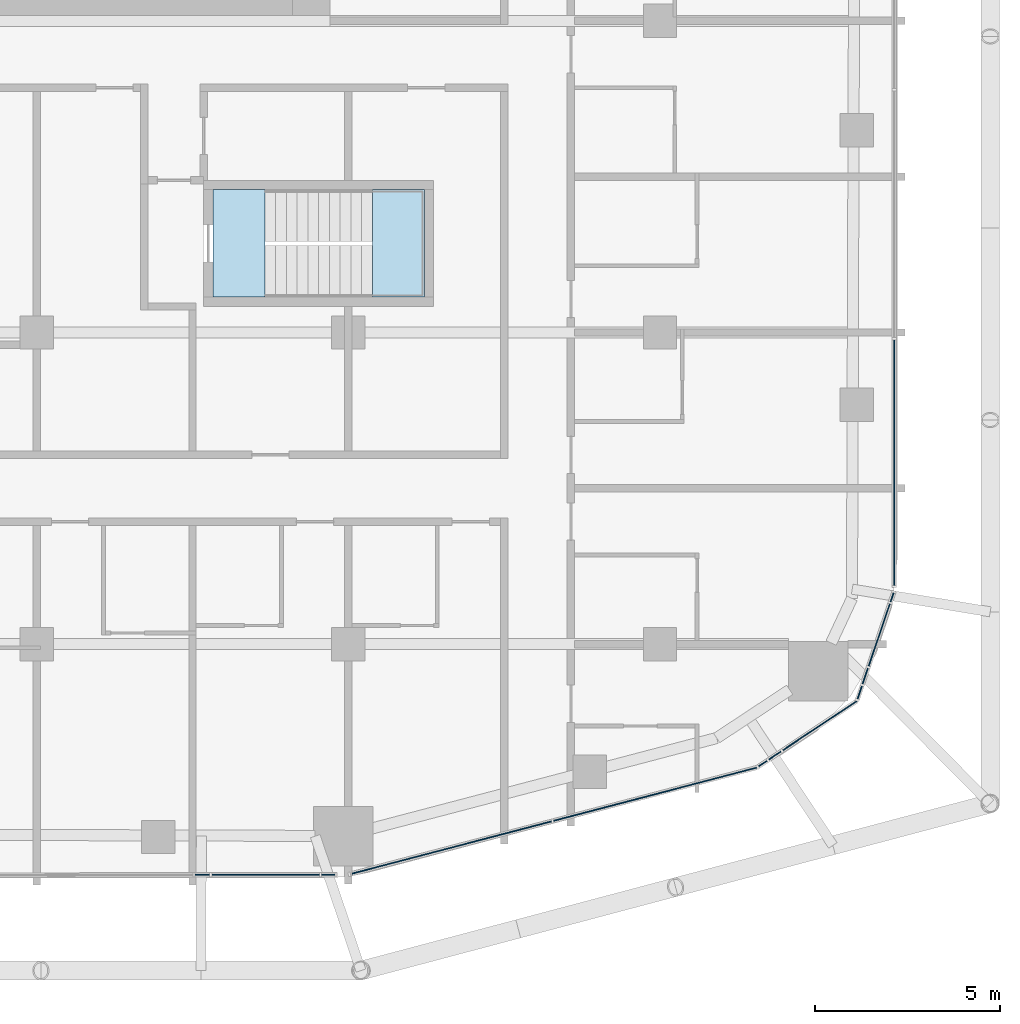
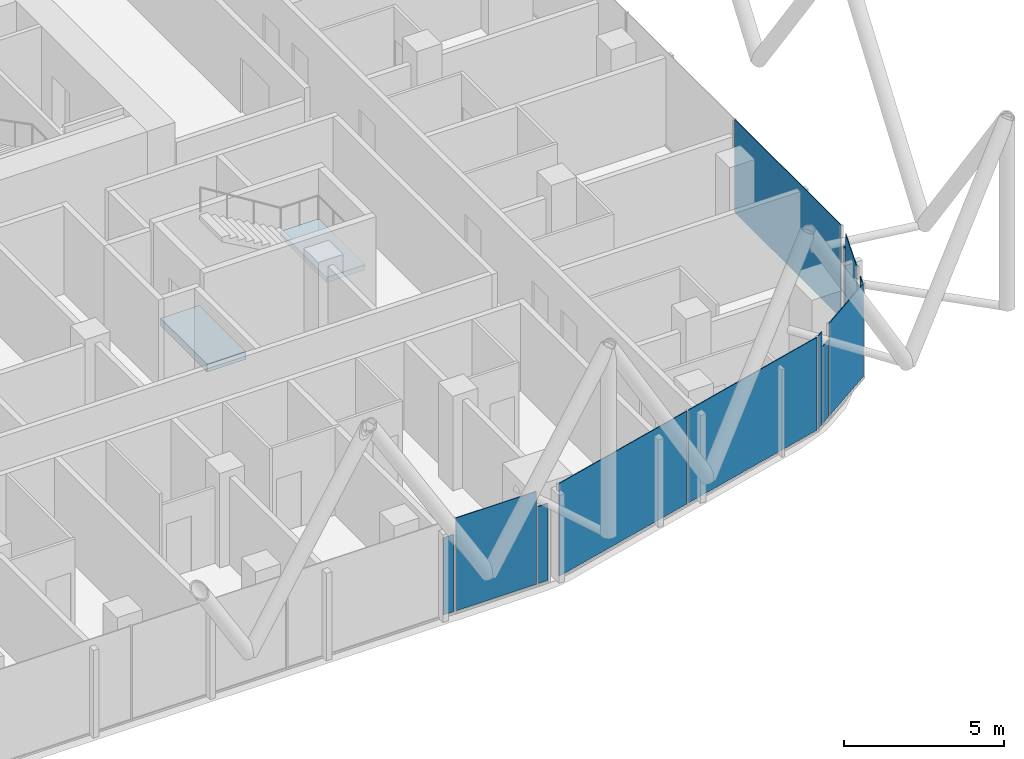
# One storey, part 22 of 36: 13 plates, 2 slabs, 13 elements without a shape of their own.
"""IFC4 building model written with IfcOpenShell, lengths in metres."""

from ifc_helpers import new_model, si_unit, direction, frame, origin, origin_2d, place, context, subcontext, project, spatial, polyline, rectangle, outline, extrude, material, layer, layer_set, type_object, element, aggregate, save


model = new_model("IFC4")

# Units and contexts
model_context = context("Model", 3, precision=1e-05, world=origin(), true_north=direction((0.0, 1.0)))
body_context = subcontext(model_context, "Body", "Model", "MODEL_VIEW")
ifc_project = project(units=[si_unit("LENGTHUNIT", "METRE"), si_unit("AREAUNIT", "SQUARE_METRE"), si_unit("VOLUMEUNIT", "CUBIC_METRE"), si_unit("PLANEANGLEUNIT", "RADIAN"), si_unit("MASSUNIT", "GRAM", prefix="KILO")], contexts=[model_context])

# Site, building, storey
site_placement = place(None, origin())
site = spatial("IfcSite", under=ifc_project, at=site_placement, CompositionType="ELEMENT")
building_placement = place(site_placement, origin())
building = spatial("IfcBuilding", under=site, at=building_placement, Name="Marenta Gate Hotel Tower", CompositionType="ELEMENT")
storey_placement = place(building_placement, frame((0.0, 0.0, 144.5)))
storey = spatial("IfcBuildingStorey", under=building, at=storey_placement, Name="L33", CompositionType="ELEMENT", Elevation=144.5)

# Curtain wall, plate
ifc_material_1 = material(Name="Tinted insulated glass in bronze anodised frame", Category="glass")
ifc_layer_1 = layer(ifc_material_1, 0.1201171875)
ifc_layer_set_1 = layer_set([ifc_layer_1], Name="Tinted insulated glass in bronze anodised frame")
curtain_wall_type = type_object("IfcCurtainWallType", Name="Tower unitised curtain wall CW1", PredefinedType="NOTDEFINED", material=ifc_layer_set_1)
curtain_wall_1_placement = place(storey_placement, origin())
curtain_wall_1 = element("IfcCurtainWall", 1, at=curtain_wall_1_placement, inside=storey, type_object=curtain_wall_type, Name="CW1 run G22", PredefinedType="NOTDEFINED")
ifc_material_2 = material(Name="Tinted insulated glass", Category="glass")
ifc_layer_2 = layer(ifc_material_2, 0.028076171875)
ifc_layer_set_2 = layer_set([ifc_layer_2], Name="Tinted insulated glass")
plate_type = type_object("IfcPlateType", Name="Glass panel CW1 28 mm tinted insulated unit", PredefinedType="CURTAIN_PANEL", material=ifc_layer_set_2)
plate_1_placement = place(storey_placement, frame((8.664306640625, -23.018798828125, 0.06005859375), z_axis=(0.0, 0.0, 1.0), x_axis=(0.999999122847, 0.001324502144, 0.0)))
plate_1 = element("IfcPlate", 2, at=plate_1_placement, type_object=plate_type, Name="CW1 panel 1.1", PredefinedType="CURTAIN_PANEL", context=body_context, shape_type="SweptSolid", body=[
    extrude(rectangle(XDim=0.39306640625, YDim=0.028076171875, at=origin_2d()), origin(), (0.0, 0.0, 1.0), 2.9404296875),
])
aggregate(curtain_wall_1, [plate_1])

curtain_wall_2_placement = place(storey_placement, origin())
curtain_wall_2 = element("IfcCurtainWall", 3, at=curtain_wall_2_placement, inside=storey, type_object=curtain_wall_type, Name="CW1 run G23", PredefinedType="NOTDEFINED")
plate_2_placement = place(storey_placement, frame((10.37109375, -23.016357421875, 0.06005859375), z_axis=(0.0, 0.0, 1.0), x_axis=(0.999999041285, 0.001384712772, 0.0)))
plate_2 = element("IfcPlate", 4, at=plate_2_placement, type_object=plate_type, Name="CW1 panel 1.1", PredefinedType="CURTAIN_PANEL", context=body_context, shape_type="SweptSolid", body=[
    extrude(rectangle(XDim=2.90087890625, YDim=0.028076171875, at=origin_2d()), origin(), (0.0, 0.0, 1.0), 3.5400390625),
])
aggregate(curtain_wall_2, [plate_2])

curtain_wall_3_placement = place(storey_placement, origin())
curtain_wall_3 = element("IfcCurtainWall", 5, at=curtain_wall_3_placement, inside=storey, type_object=curtain_wall_type, Name="CW1 run G24", PredefinedType="NOTDEFINED")
plate_3_placement = place(storey_placement, frame((12.060791015625, -23.013916015625, 0.06005859375), z_axis=(0.0, 0.0, 1.0), x_axis=(0.999999212858, 0.001254704164, 0.0)))
plate_3 = element("IfcPlate", 6, at=plate_3_placement, type_object=plate_type, Name="CW1 panel 1.1", PredefinedType="CURTAIN_PANEL", context=body_context, shape_type="SweptSolid", body=[
    extrude(rectangle(XDim=0.358154296875, YDim=0.028076171875, at=origin_2d()), origin(), (0.0, 0.0, 1.0), 2.9404296875),
])
aggregate(curtain_wall_3, [plate_3])

# Curtain wall, plates
curtain_wall_4_placement = place(storey_placement, origin())
curtain_wall_4 = element("IfcCurtainWall", 7, at=curtain_wall_4_placement, inside=storey, type_object=curtain_wall_type, Name="CW1 run G25", PredefinedType="NOTDEFINED")
plate_4_placement = place(storey_placement, frame((15.36474609375, -22.28857421875, 0.06005859375), z_axis=(0.0, 0.0, 1.0), x_axis=(0.967368326473, 0.253374270473, 0.0)))
plate_4 = element("IfcPlate", 8, at=plate_4_placement, type_object=plate_type, Name="CW1 panel 1.1", PredefinedType="CURTAIN_PANEL", context=body_context, shape_type="SweptSolid", body=[
    extrude(rectangle(XDim=5.6005859375, YDim=0.028076171875, at=origin_2d()), origin(), (0.0, 0.0, 1.0), 3.5400390625),
])
plate_5_placement = place(storey_placement, frame((20.86962890625, -20.8466796875, 0.06005859375), z_axis=(0.0, 0.0, 1.0), x_axis=(0.967368326473, 0.253374270473, 0.0)))
plate_5 = element("IfcPlate", 9, at=plate_5_placement, type_object=plate_type, Name="CW1 panel 2.1", PredefinedType="CURTAIN_PANEL", context=body_context, shape_type="SweptSolid", body=[
    extrude(rectangle(XDim=5.66064453125, YDim=0.028076171875, at=origin_2d()), origin(), (0.0, 0.0, 1.0), 3.5400390625),
])
aggregate(curtain_wall_4, [plate_4, plate_5])

# Curtain wall, plate
curtain_wall_5_placement = place(storey_placement, origin())
curtain_wall_5 = element("IfcCurtainWall", 10, at=curtain_wall_5_placement, inside=storey, type_object=curtain_wall_type, Name="CW1 run G26", PredefinedType="NOTDEFINED")
plate_6_placement = place(storey_placement, frame((23.7705078125, -20.021240234375, 0.06005859375), z_axis=(0.0, 0.0, 1.0), x_axis=(0.832606802594, 0.553864525199, 0.0)))
plate_6 = element("IfcPlate", 11, at=plate_6_placement, type_object=plate_type, Name="CW1 panel 1.1", PredefinedType="CURTAIN_PANEL", context=body_context, shape_type="SweptSolid", body=[
    extrude(rectangle(XDim=0.271484375, YDim=0.028076171875, at=origin_2d()), origin(), (0.0, 0.0, 1.0), 3.5400390625),
])
aggregate(curtain_wall_5, [plate_6])

curtain_wall_6_placement = place(storey_placement, origin())
curtain_wall_6 = element("IfcCurtainWall", 12, at=curtain_wall_6_placement, inside=storey, type_object=curtain_wall_type, Name="CW1 run G27", PredefinedType="NOTDEFINED")
plate_7_placement = place(storey_placement, frame((24.09716796875, -19.803955078125, 0.06005859375), z_axis=(0.0, 0.0, 1.0), x_axis=(0.832457612814, 0.554088731944, 0.0)))
plate_7 = element("IfcPlate", 13, at=plate_7_placement, type_object=plate_type, Name="CW1 panel 1.1", PredefinedType="CURTAIN_PANEL", context=body_context, shape_type="SweptSolid", body=[
    extrude(rectangle(XDim=0.39306640625, YDim=0.028076171875, at=origin_2d()), origin(), (0.0, 0.0, 1.0), 2.9404296875),
])
aggregate(curtain_wall_6, [plate_7])

curtain_wall_7_placement = place(storey_placement, origin())
curtain_wall_7 = element("IfcCurtainWall", 14, at=curtain_wall_7_placement, inside=storey, type_object=curtain_wall_type, Name="CW1 run G28", PredefinedType="NOTDEFINED")
plate_8_placement = place(storey_placement, frame((25.307861328125, -18.998291015625, 0.06005859375), z_axis=(0.0, 0.0, 1.0), x_axis=(0.832501127249, 0.554023350707, 0.0)))
plate_8 = element("IfcPlate", 15, at=plate_8_placement, type_object=plate_type, Name="CW1 panel 1.1", PredefinedType="CURTAIN_PANEL", context=body_context, shape_type="SweptSolid", body=[
    extrude(rectangle(XDim=2.3955078125, YDim=0.028076171875, at=origin_2d()), origin(), (0.0, 0.0, 1.0), 3.5400390625),
])
aggregate(curtain_wall_7, [plate_8])

curtain_wall_8_placement = place(storey_placement, origin())
curtain_wall_8 = element("IfcCurtainWall", 16, at=curtain_wall_8_placement, inside=storey, type_object=curtain_wall_type, Name="CW1 run G29", PredefinedType="NOTDEFINED")
plate_9_placement = place(storey_placement, frame((26.383544921875, -18.103515625, 0.06005859375), z_axis=(0.0, 0.0, 1.0), x_axis=(0.322036701561, 0.946727185016, 0.0)))
plate_9 = element("IfcPlate", 17, at=plate_9_placement, type_object=plate_type, Name="CW1 panel 1.1", PredefinedType="CURTAIN_PANEL", context=body_context, shape_type="SweptSolid", body=[
    extrude(rectangle(XDim=0.3681640625, YDim=0.028076171875, at=origin_2d()), origin(), (0.0, 0.0, 1.0), 3.5400390625),
])
aggregate(curtain_wall_8, [plate_9])

curtain_wall_9_placement = place(storey_placement, origin())
curtain_wall_9 = element("IfcCurtainWall", 18, at=curtain_wall_9_placement, inside=storey, type_object=curtain_wall_type, Name="CW1 run G30", PredefinedType="NOTDEFINED")
plate_10_placement = place(storey_placement, frame((26.533935546875, -17.6611328125, 0.06005859375), z_axis=(0.0, 0.0, 1.0), x_axis=(0.322030237029, 0.946729383953, 0.0)))
plate_10 = element("IfcPlate", 19, at=plate_10_placement, type_object=plate_type, Name="CW1 panel 1.1", PredefinedType="CURTAIN_PANEL", context=body_context, shape_type="SweptSolid", body=[
    extrude(rectangle(XDim=0.4462890625, YDim=0.028076171875, at=origin_2d()), origin(), (0.0, 0.0, 1.0), 2.9404296875),
])
aggregate(curtain_wall_9, [plate_10])

curtain_wall_10_placement = place(storey_placement, origin())
curtain_wall_10 = element("IfcCurtainWall", 20, at=curtain_wall_10_placement, inside=storey, type_object=curtain_wall_type, Name="CW1 run G31", PredefinedType="NOTDEFINED")
plate_11_placement = place(storey_placement, frame((26.91064453125, -16.553955078125, 0.06005859375), z_axis=(0.0, 0.0, 1.0), x_axis=(0.322031828824, 0.946728842502, 0.0)))
plate_11 = element("IfcPlate", 21, at=plate_11_placement, type_object=plate_type, Name="CW1 panel 1.1", PredefinedType="CURTAIN_PANEL", context=body_context, shape_type="SweptSolid", body=[
    extrude(rectangle(XDim=1.77294921875, YDim=0.028076171875, at=origin_2d()), origin(), (0.0, 0.0, 1.0), 3.5400390625),
])
aggregate(curtain_wall_10, [plate_11])

curtain_wall_11_placement = place(storey_placement, origin())
curtain_wall_11 = element("IfcCurtainWall", 22, at=curtain_wall_11_placement, inside=storey, type_object=curtain_wall_type, Name="CW1 run G32", PredefinedType="NOTDEFINED")
plate_12_placement = place(storey_placement, frame((27.255126953125, -15.541259765625, 0.06005859375), z_axis=(0.0, 0.0, 1.0), x_axis=(0.322039841818, 0.946726116827, 0.0)))
plate_12 = element("IfcPlate", 23, at=plate_12_placement, type_object=plate_type, Name="CW1 panel 1.1", PredefinedType="CURTAIN_PANEL", context=body_context, shape_type="SweptSolid", body=[
    extrude(rectangle(XDim=0.24609375, YDim=0.028076171875, at=origin_2d()), origin(), (0.0, 0.0, 1.0), 2.9404296875),
])
aggregate(curtain_wall_11, [plate_12])

curtain_wall_12_placement = place(storey_placement, origin())
curtain_wall_12 = element("IfcCurtainWall", 24, at=curtain_wall_12_placement, inside=storey, type_object=curtain_wall_type, Name="CW1 run G33", PredefinedType="NOTDEFINED")
plate_13_placement = place(storey_placement, frame((27.31396484375, -11.90625, 0.06005859375), z_axis=(0.0, 0.0, 1.0), x_axis=(0.0, 1.0, 0.0)))
plate_13 = element("IfcPlate", 25, at=plate_13_placement, type_object=plate_type, Name="CW1 panel 1.1", PredefinedType="CURTAIN_PANEL", context=body_context, shape_type="SweptSolid", body=[
    extrude(rectangle(XDim=6.617431640625, YDim=0.028076171875, at=origin_2d()), origin(), (0.0, 0.0, 1.0), 3.5400390625),
])
aggregate(curtain_wall_12, [plate_13])

# Stair, slab
ifc_material_3 = material(Name="Concrete C40", Category="concrete")
stair_type = type_object("IfcStairType", Name="Remote exit stair 1400 wide", PredefinedType="HALF_TURN_STAIR", material=ifc_material_3)
stair_placement = place(storey_placement, origin())
stair = element("IfcStair", 26, at=stair_placement, inside=storey, type_object=stair_type, Name="Exit stair RS-Z2-2", PredefinedType="HALF_TURN_STAIR")
ifc_material_4 = material(Name="Concrete C40", Category="concrete")
ifc_layer_3 = layer(ifc_material_4, 0.199951171875)
ifc_layer_set_3 = layer_set([ifc_layer_3], Name="Concrete C40")
slab_type_1 = type_object("IfcSlabType", Name="Remote stair landing 200", PredefinedType="LANDING", material=ifc_layer_set_3)
slab_1_placement = place(storey_placement, frame((0.0, 0.0, 1.60009765625)))
slab_1 = element("IfcSlab", 27, at=slab_1_placement, type_object=slab_type_1, Name="RL-200 RS-Z2-2 landing 1", PredefinedType="LANDING", context=body_context, shape_type="SweptSolid", body=[
    extrude(outline(polyline([(13.25, -7.449951171875), (14.64990234375, -7.449951171875), (14.64990234375, -4.550048828125), (13.25, -4.550048828125), (13.25, -7.449951171875)])), origin(), (0.0, 0.0, 1.0), 0.199951171875),
])
aggregate(stair, [slab_1])

# Slab
ifc_material_5 = material(Name="Concrete C40", Category="concrete")
ifc_layer_4 = layer(ifc_material_5, 0.300048828125)
ifc_layer_set_4 = layer_set([ifc_layer_4], Name="Concrete C40")
slab_type_2 = type_object("IfcSlabType", Name="Stair floor landing slab 300", PredefinedType="FLOOR", material=ifc_layer_set_4)
slab_2_placement = place(storey_placement, frame((0.0, 0.0, -0.300048828125)))
element("IfcSlab", 28, at=slab_2_placement, inside=storey, type_object=slab_type_2, Name="L33-RS-Z2-2-CL", PredefinedType="FLOOR", context=body_context, shape_type="SweptSolid", body=[
    extrude(outline(polyline([(10.35009765625, -7.449951171875), (10.35009765625, -4.550048828125), (8.949951171875, -4.550048828125), (8.949951171875, -7.449951171875), (10.35009765625, -7.449951171875)])), origin(), (0.0, 0.0, 1.0), 0.300048828125),
])

save(model, "model.ifc")
